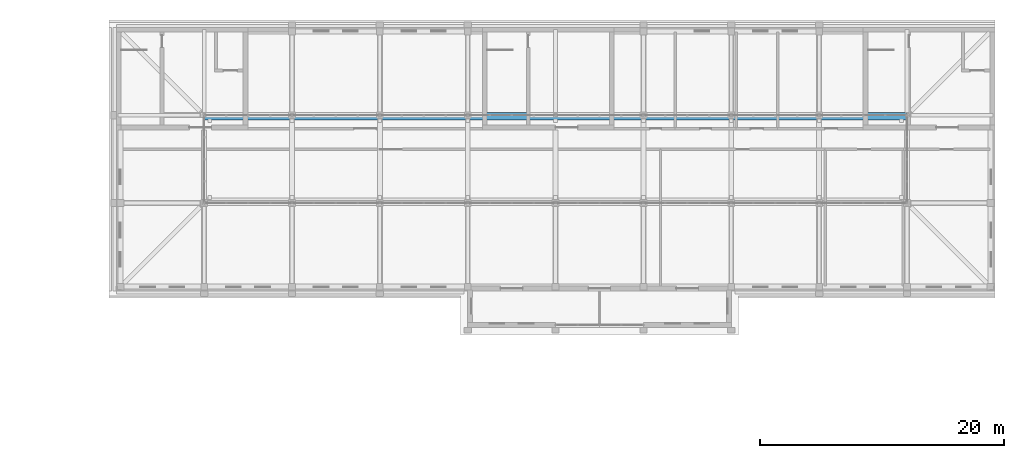
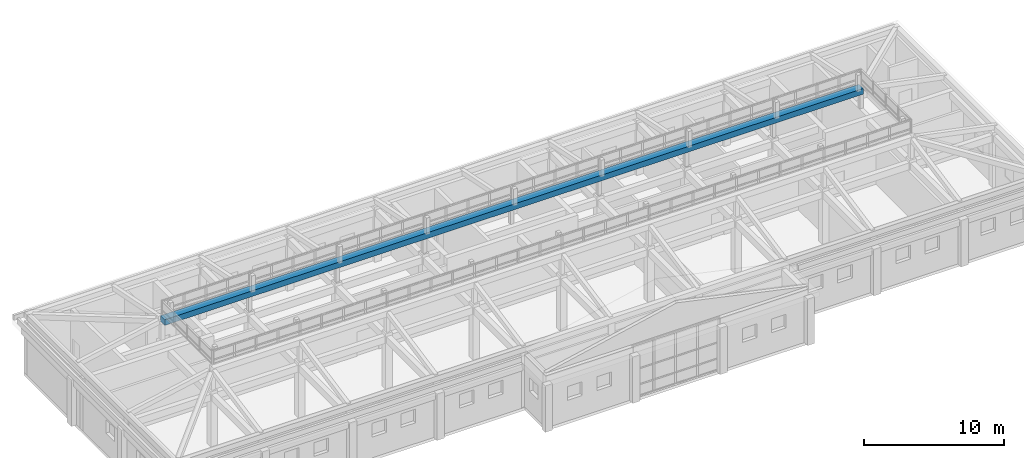
# One storey, part 18 of 48: 1 beam.
"""IFC4 building model written with IfcOpenShell, lengths in metres."""

from ifc_helpers import new_model, si_unit, direction, frame, origin, origin_2d, place, context, subcontext, project, spatial, rectangle, extrude, material, material_profile, profile_set, type_object, element, save


model = new_model("IFC4")

# Units and contexts
model_context = context("Model", 3, precision=1e-05, world=origin(), true_north=direction((0.0, 1.0)))
body_context = subcontext(model_context, "Body", "Model", "MODEL_VIEW")
ifc_project = project(units=[si_unit("LENGTHUNIT", "METRE"), si_unit("AREAUNIT", "SQUARE_METRE"), si_unit("VOLUMEUNIT", "CUBIC_METRE"), si_unit("PLANEANGLEUNIT", "RADIAN"), si_unit("MASSUNIT", "GRAM", prefix="KILO")], contexts=[model_context])

# Site, building, storey
site_placement = place(None, origin())
site = spatial("IfcSite", under=ifc_project, at=site_placement, CompositionType="ELEMENT")
building_placement = place(site_placement, origin())
building = spatial("IfcBuilding", under=site, at=building_placement, Name="Alderwick Market Hall", CompositionType="ELEMENT")
storey_placement = place(building_placement, frame((0.0, 0.0, 14.39990234375)))
storey = spatial("IfcBuildingStorey", under=building, at=storey_placement, Name="L02", CompositionType="ELEMENT", Elevation=14.39990234375)

# Beam
ifc_material = material(Name="Concrete 5000 psi (f'c 35 MPa)", Category="concrete")
ifc_material_profile = material_profile(ifc_material, rectangle(XDim=0.60009765625, YDim=0.5, at=origin_2d()), Name="RC 600x500")
ifc_profile_set = profile_set([ifc_material_profile], Name="Concrete 5000 psi (f'c 35 MPa)")
beam_type = type_object("IfcBeamType", Name="F Ridge Girder RC 600x500", PredefinedType="BEAM", material=ifc_profile_set)
beam_placement = place(storey_placement, frame((165.60009765625, 143.89990234375, 6.4501953125), z_axis=(1.0, 0.0, 0.0), x_axis=(0.0, 1.0, 0.0)))
element("IfcBeam", 1, at=beam_placement, inside=storey, type_object=beam_type, Name="F.ridge.L02.n", PredefinedType="BEAM", context=body_context, shape_type="SweptSolid", body=[
    extrude(rectangle(XDim=0.60009765625, YDim=0.5, at=origin_2d()), origin(), (0.0, 0.0, 1.0), 57.599853515625),
])

save(model, "model.ifc")
